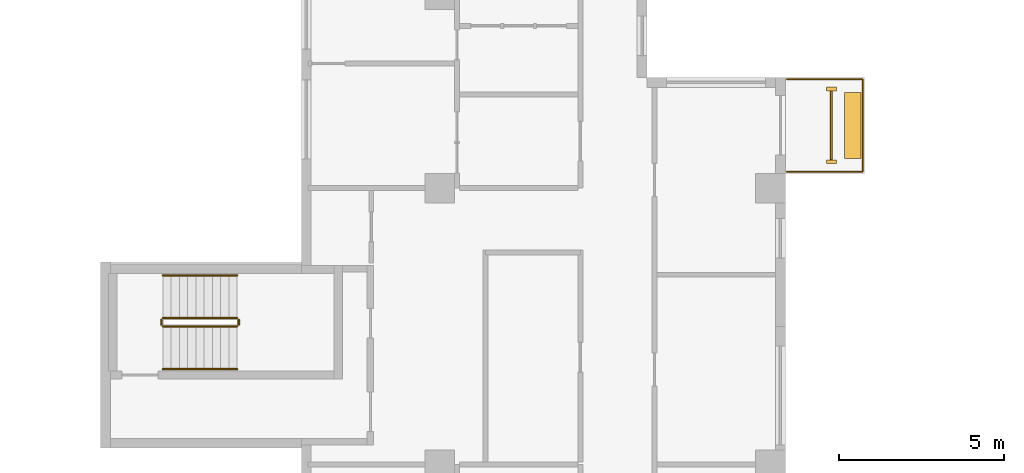
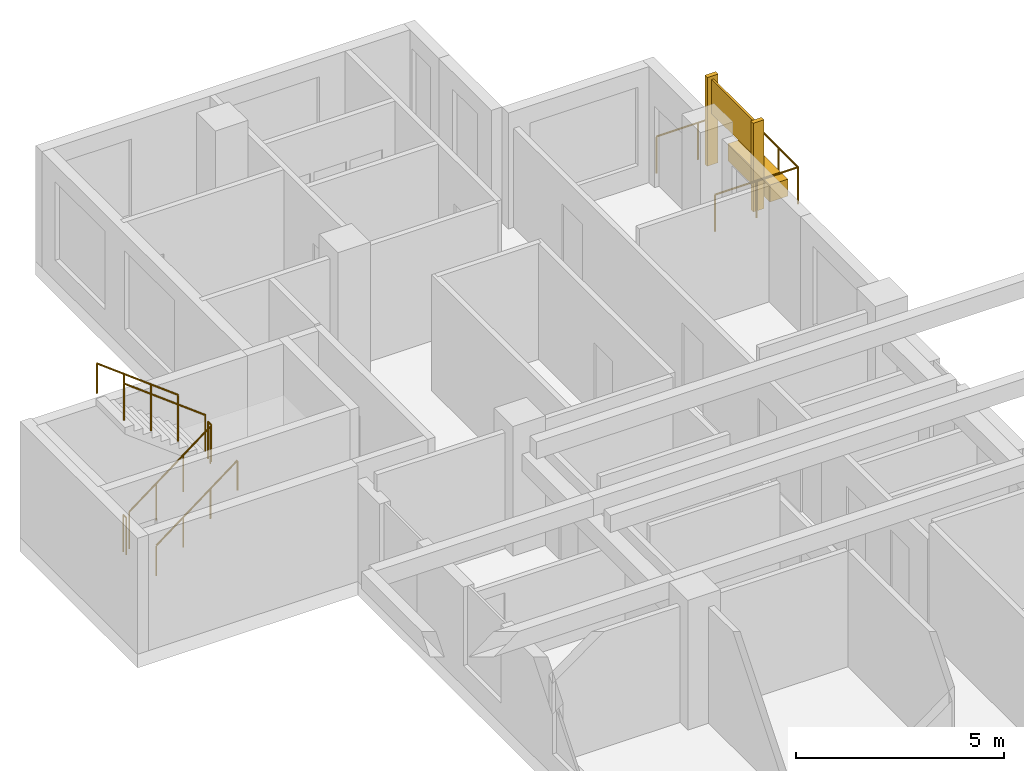
# One storey, part 12 of 12: 7 railings, 4 coverings.
"""IFC4 building model written with IfcOpenShell, lengths in metres."""

import ifcopenshell
import ifcopenshell.guid

model = None  # the IFC model being written
_history = None  # IfcOwnerHistory: only IFC2X3 demands one
_inside = {}  # id of a spatial element -> (the spatial element, [elements in it])
_under = {}  # id of a project, library or spatial element -> (it, [spatial elements below it])
_declared = {}  # id of a project -> (the project, [libraries it declares])
_typed = {}  # id of a type object -> (the type object, [elements of that type])
_made_of = {}  # id of a material, layer set ... -> (it, [elements and type objects made of it])


def new_model(schema):
    """Start an empty IFC model of exactly this schema.

    Asked for "IFC4X3", IfcOpenShell would pick the latest addendum, in which some entities
    have other attributes; the version numbers below select the first issue.
    IFC2X3 requires an IfcOwnerHistory on every rooted entity: one is made here for all.
    """
    global model, _history
    if schema == "IFC4X3":
        model = ifcopenshell.file(schema_version=(4, 3, 0, 0))
    else:
        model = ifcopenshell.file(schema=schema)
    _inside.clear()
    _under.clear()
    _declared.clear()
    _typed.clear()
    _made_of.clear()
    _history = None
    if model.schema == "IFC2X3":
        org = make("IfcOrganization", Name="unknown")
        user = make(
            "IfcPersonAndOrganization",
            ThePerson=make("IfcPerson", FamilyName="unknown"),
            TheOrganization=org,
        )
        app = make(
            "IfcApplication",
            ApplicationDeveloper=org,
            Version="unknown",
            ApplicationFullName="unknown",
            ApplicationIdentifier="unknown",
        )
        _history = make(
            "IfcOwnerHistory",
            OwningUser=user,
            OwningApplication=app,
            ChangeAction="ADDED",
            CreationDate=0,
        )
    return model


def make(cls, **values):
    """One entity of the class cls with the attributes given. An attribute that is None is left unset."""
    return model.create_entity(
        cls, **{name: value for name, value in values.items() if value is not None}
    )


def rooted(cls, **values):
    """An entity with a GlobalId (a new one), such as an element, a storey or a relation."""
    return make(cls, GlobalId=ifcopenshell.guid.new(), OwnerHistory=_history, **values)


def si_unit(unit_type, name, prefix=None):
    """IfcSIUnit, for example si_unit("LENGTHUNIT", "METRE", prefix="MILLI")."""
    return make("IfcSIUnit", UnitType=unit_type, Prefix=prefix, Name=name)


def assignment(units):
    """IfcUnitAssignment: the units of a project."""
    return None if units is None else make("IfcUnitAssignment", Units=units)


def point(xyz):
    """IfcCartesianPoint."""
    return None if xyz is None else make("IfcCartesianPoint", Coordinates=xyz)


def direction(xyz):
    """IfcDirection."""
    return None if xyz is None else make("IfcDirection", DirectionRatios=xyz)


def frame(location, z_axis=None, x_axis=None):
    """IfcAxis2Placement3D, a coordinate frame: its origin and axes. An axis left out is left unset."""
    return make(
        "IfcAxis2Placement3D",
        Location=point(location),
        Axis=direction(z_axis),
        RefDirection=direction(x_axis),
    )


def frame_2d(location, x_axis=None):
    """IfcAxis2Placement2D, a coordinate frame in the plane: its origin and x axis."""
    return make(
        "IfcAxis2Placement2D", Location=point(location), RefDirection=direction(x_axis)
    )


def origin():
    """The frame at (0, 0, 0) with its axes left unset."""
    return frame((0.0, 0.0, 0.0))


def origin_2d():
    """The frame at (0, 0) in the plane with its x axis left unset."""
    return frame_2d((0.0, 0.0))


def place(relative_to, where):
    """IfcLocalPlacement: puts the frame where relative to a parent placement (None: the world)."""
    return make(
        "IfcLocalPlacement", PlacementRelTo=relative_to, RelativePlacement=where
    )


def context(
    kind, dimensions, precision=None, world=None, true_north=None, identifier=None
):
    """IfcGeometricRepresentationContext, for example the 3D "Model" context."""
    return make(
        "IfcGeometricRepresentationContext",
        ContextIdentifier=identifier,
        ContextType=kind,
        CoordinateSpaceDimension=dimensions,
        Precision=precision,
        WorldCoordinateSystem=world,
        TrueNorth=true_north,
    )


def subcontext(parent, identifier, kind, view, scale=None):
    """IfcGeometricRepresentationSubContext, for example "Body" below "Model"."""
    return make(
        "IfcGeometricRepresentationSubContext",
        ContextIdentifier=identifier,
        ContextType=kind,
        ParentContext=parent,
        TargetScale=scale,
        TargetView=view,
    )


def project(units=None, contexts=None):
    """IfcProject with its units and contexts."""
    return rooted(
        "IfcProject",
        Name="project",
        RepresentationContexts=contexts,
        UnitsInContext=assignment(units),
    )


def spatial(cls, under=None, at=None, **own):
    """A site, building, storey or space (cls), placed at a placement, below another one or the project."""
    s = rooted(cls, ObjectPlacement=at, **own)
    if under is not None:
        _under.setdefault(under.id(), (under, []))[1].append(s)
    return s


def profile(cls, at=None, kind="AREA", **sizes):
    """A parametric profile (cls). Its sizes go by their IFC names, for example OverallWidth=200.0."""
    return make(cls, ProfileType=kind, Position=at, **sizes)


def rectangle(**sizes):
    """IfcRectangleProfileDef."""
    return profile("IfcRectangleProfileDef", **sizes)


def circle(**sizes):
    """IfcCircleProfileDef."""
    return profile("IfcCircleProfileDef", **sizes)


def extrude(swept, where, along, depth):
    """IfcExtrudedAreaSolid: the profile swept, set in the frame where, extruded along a direction by depth."""
    return make(
        "IfcExtrudedAreaSolid",
        SweptArea=swept,
        Position=where,
        ExtrudedDirection=direction(along),
        Depth=depth,
    )


def shape(context_of_items, identifier, shape_type, items):
    """IfcShapeRepresentation: the items that make up one representation, for example the "Body"."""
    return make(
        "IfcShapeRepresentation",
        ContextOfItems=context_of_items,
        RepresentationIdentifier=identifier,
        RepresentationType=shape_type,
        Items=items,
    )


def source(mapping_origin, context_of_items, identifier, shape_type, items):
    """IfcRepresentationMap: a shape defined once, which mapped items show again and again."""
    return make(
        "IfcRepresentationMap",
        MappingOrigin=mapping_origin,
        MappedRepresentation=shape(context_of_items, identifier, shape_type, items),
    )


def transform(
    local_origin,
    x_axis=None,
    y_axis=None,
    z_axis=None,
    scale=None,
    scale2=None,
    scale3=None,
    uniform=True,
):
    """IfcCartesianTransformationOperator3D, or its non-uniform kind. x_axis, y_axis, z_axis: its Axis1, 2, 3."""
    if uniform:
        return make(
            "IfcCartesianTransformationOperator3D",
            Axis1=direction(x_axis),
            Axis2=direction(y_axis),
            LocalOrigin=point(local_origin),
            Scale=scale,
            Axis3=direction(z_axis),
        )
    return make(
        "IfcCartesianTransformationOperator3DnonUniform",
        Axis1=direction(x_axis),
        Axis2=direction(y_axis),
        LocalOrigin=point(local_origin),
        Scale=scale,
        Axis3=direction(z_axis),
        Scale2=scale2,
        Scale3=scale3,
    )


def mapped(mapping_source, mapping_target):
    """IfcMappedItem: shows the shape of a source again, moved by a transform."""
    return make(
        "IfcMappedItem", MappingSource=mapping_source, MappingTarget=mapping_target
    )


def material(Name=None, Category=None):
    """IfcMaterial."""
    return make("IfcMaterial", Name=Name, Category=Category)


def made_of(thing, what):
    """Note that an element or type object is made of a material, layer set ...; save() writes the relation."""
    if what is not None:
        _made_of.setdefault(what.id(), (what, []))[1].append(thing)
    return thing


def type_object(cls, material=None, **own):
    """A type object (cls), such as IfcWallType, which elements share."""
    return made_of(rooted(cls, **own), material)


def element(
    cls,
    number,
    at=None,
    inside=None,
    cuts=None,
    type_object=None,
    material=None,
    context=None,
    identifier="Body",
    shape_type=None,
    held_by="IfcProductDefinitionShape",
    body=None,
    shapes=None,
    **own,
):
    """One element of the class cls, such as IfcWall. Its Tag is "e" and its number.

    at: its placement. inside: the storey or other place that contains it. cuts: it is an
    opening in that element (IfcRelVoidsElement). A single representation is given by context,
    identifier, shape_type and body (its items); several are given by shapes. held_by: the class
    of the entity that holds the representations. save() writes the other relations.
    """
    e = rooted(cls, Tag="e%d" % number, ObjectPlacement=at, **own)
    if body is not None:
        shapes = [shape(context, identifier, shape_type, body)]
    if shapes is not None:
        e.Representation = make(held_by, Representations=shapes)
    if inside is not None:
        _inside.setdefault(inside.id(), (inside, []))[1].append(e)
    if cuts is not None:
        rooted(
            "IfcRelVoidsElement", RelatingBuildingElement=cuts, RelatedOpeningElement=e
        )
    if type_object is not None:
        _typed.setdefault(type_object.id(), (type_object, []))[1].append(e)
    return made_of(e, material)


def aggregate(whole, parts):
    """IfcRelAggregates: a whole, such as a stair, and the parts it consists of."""
    return rooted("IfcRelAggregates", RelatingObject=whole, RelatedObjects=parts)


def save(model, path):
    """Write the relations noted so far, then the file.

    IfcRelAggregates (storeys below a building ...), IfcRelContainedInSpatialStructure (elements
    in a storey), IfcRelDefinesByType, IfcRelAssociatesMaterial and IfcRelDeclares: one each for
    every whole, place, type object, material and project.
    """
    for whole, parts in _under.values():
        aggregate(whole, parts)
    for where, things in _inside.values():
        rooted(
            "IfcRelContainedInSpatialStructure",
            RelatedElements=things,
            RelatingStructure=where,
        )
    for kind, things in _typed.values():
        rooted("IfcRelDefinesByType", RelatedObjects=things, RelatingType=kind)
    for what, things in _made_of.values():
        rooted("IfcRelAssociatesMaterial", RelatedObjects=things, RelatingMaterial=what)
    for by, libraries in _declared.values():
        rooted("IfcRelDeclares", RelatingContext=by, RelatedDefinitions=libraries)
    model.write(path)


model = new_model("IFC4")

# Units and contexts
model_context = context("Model", 3, precision=1e-05, world=origin(), true_north=direction((0.0, 1.0)))
body_context = subcontext(model_context, "Body", "Model", "MODEL_VIEW")
ifc_project = project(units=[si_unit("LENGTHUNIT", "METRE"), si_unit("AREAUNIT", "SQUARE_METRE"), si_unit("VOLUMEUNIT", "CUBIC_METRE"), si_unit("PLANEANGLEUNIT", "RADIAN"), si_unit("MASSUNIT", "GRAM", prefix="KILO")], contexts=[model_context])

# Site, building, storey
site_placement = place(None, origin())
site = spatial("IfcSite", under=ifc_project, at=site_placement, CompositionType="ELEMENT")
building_placement = place(site_placement, origin())
building = spatial("IfcBuilding", under=site, at=building_placement, Name="Aurelian Terraces", CompositionType="ELEMENT")
storey_placement = place(building_placement, frame((0.0, 0.0, 215.8)))
storey = spatial("IfcBuildingStorey", under=building, at=storey_placement, Name="L48", CompositionType="ELEMENT", Elevation=215.8)

# Coverings
ifc_material_1 = material(Name="Terracotta rainscreen cladding relief", Category="masonry")
covering_type_1 = type_object("IfcCoveringType", Name="FIN-TC", PredefinedType="CLADDING", material=ifc_material_1)
shared_shape_1 = source(origin(), body_context, "Body", "SweptSolid", [
    extrude(rectangle(XDim=0.3, YDim=0.12, at=origin_2d()), origin(), (0.0, 0.0, 1.0), 2.6),
])
for number, where, z_axis, x_axis, name in (
    (1, (22.4, 47.0, 0.0), (0.0, 0.0, 1.0), (1.0, 0.0, 0.0), "FIN L48 L48-F08-22.1"),
    (2, (22.4, 49.21, 0.0), (0.0, 0.0, 1.0), (1.0, 0.0, 0.0), "FIN L48 L48-F08-22.2"),
):
    element("IfcCovering", number, at=place(storey_placement, frame(where, z_axis=z_axis, x_axis=x_axis)), inside=storey, type_object=covering_type_1, Name=name, PredefinedType="CLADDING", context=body_context, shape_type="MappedRepresentation", body=[
        mapped(shared_shape_1, transform((0.0, 0.0, 0.0), scale=1.0)),
    ])

# Railing
ifc_material_2 = material(Name="Anodised aluminium", Category="aluminium")
railing_type_1 = type_object("IfcRailingType", Name="GUARD-1100", PredefinedType="GUARDRAIL", material=ifc_material_2)
shared_shape_2 = source(origin(), body_context, "Body", "SweptSolid", [
    extrude(circle(Radius=0.024, at=origin_2d()), frame((0.0, 0.0, 1.076), z_axis=(1.0, 0.0, 0.0), x_axis=(0.0, 1.0, 0.0)), (0.0, 0.0, 1.0), 2.3),
    extrude(circle(Radius=0.024, at=origin_2d()), frame((2.3, 0.0, 1.076), z_axis=(0.0, 1.0, 0.0), x_axis=(-1.0, 0.0, 0.0)), (0.0, 0.0, 1.0), 2.81),
    extrude(circle(Radius=0.024, at=origin_2d()), frame((2.3, 2.81, 1.076), z_axis=(-1.0, 0.0, 0.0), x_axis=(0.0, -1.0, 0.0)), (0.0, 0.0, 1.0), 2.3),
    extrude(circle(Radius=0.021, at=origin_2d()), origin(), (0.0, 0.0, 1.0), 1.052),
    extrude(circle(Radius=0.021, at=origin_2d()), frame((1.15, 0.0, 0.0)), (0.0, 0.0, 1.0), 1.052),
    extrude(circle(Radius=0.021, at=origin_2d()), frame((2.3, 0.0, 0.0)), (0.0, 0.0, 1.0), 1.052),
    extrude(circle(Radius=0.021, at=origin_2d()), frame((2.3, 0.9367, 0.0)), (0.0, 0.0, 1.0), 1.052),
    extrude(circle(Radius=0.021, at=origin_2d()), frame((2.3, 1.8733, 0.0)), (0.0, 0.0, 1.0), 1.052),
    extrude(circle(Radius=0.021, at=origin_2d()), frame((2.3, 2.81, 0.0)), (0.0, 0.0, 1.0), 1.052),
    extrude(circle(Radius=0.021, at=origin_2d()), frame((1.15, 2.81, 0.0)), (0.0, 0.0, 1.0), 1.052),
    extrude(circle(Radius=0.021, at=origin_2d()), frame((0.0, 2.81, 0.0)), (0.0, 0.0, 1.0), 1.052),
])
railing_1_placement = place(storey_placement, frame((21.05, 46.7, 0.0)))
element("IfcRailing", 3, at=railing_1_placement, inside=storey, type_object=railing_type_1, Name="Balcony guard L48 F08.22", PredefinedType="GUARDRAIL", context=body_context, shape_type="MappedRepresentation", body=[
    mapped(shared_shape_2, transform((0.0, 0.0, 0.0), scale=1.0)),
])

# Coverings
ifc_material_3 = material(Name="Terracotta planter with planting soil", Category="masonry")
covering_type_2 = type_object("IfcCoveringType", Name="PLANTER-TROUGH", PredefinedType="USERDEFINED", material=ifc_material_3)
shared_shape_3 = source(origin(), body_context, "Body", "SweptSolid", [
    extrude(rectangle(XDim=0.5, YDim=2.01, at=origin_2d()), origin(), (0.0, 0.0, 1.0), 0.5),
])
covering_1_placement = place(storey_placement, frame((23.05, 48.105, 0.0), z_axis=(0.0, 0.0, 1.0), x_axis=(1.0, 0.0, 0.0)))
element("IfcCovering", 4, at=covering_1_placement, inside=storey, type_object=covering_type_2, Name="PLANTER L48 L48-F08-22", ObjectType="PLANTER", PredefinedType="USERDEFINED", context=body_context, shape_type="MappedRepresentation", body=[
    mapped(shared_shape_3, transform((0.0, 0.0, 0.0), scale=1.0)),
])
ifc_material_4 = material(Name="Terracotta rainscreen cladding", Category="masonry")
covering_type_3 = type_object("IfcCoveringType", Name="SCREEN-TC", PredefinedType="CLADDING", material=ifc_material_4)
shared_shape_4 = source(origin(), body_context, "Body", "SweptSolid", [
    extrude(rectangle(XDim=0.06, YDim=2.09, at=origin_2d()), origin(), (0.0, 0.0, 1.0), 1.0),
])
covering_2_placement = place(storey_placement, frame((22.4, 48.105, 1.5), z_axis=(0.0, 0.0, 1.0), x_axis=(1.0, 0.0, 0.0)))
element("IfcCovering", 5, at=covering_2_placement, inside=storey, type_object=covering_type_3, Name="SCREEN L48 L48-F08-22", PredefinedType="CLADDING", context=body_context, shape_type="MappedRepresentation", body=[
    mapped(shared_shape_4, transform((0.0, 0.0, 0.0), scale=1.0)),
])

# Railings
ifc_material_5 = material(Name="Stainless steel", Category="steel")
railing_type_2 = type_object("IfcRailingType", Name="Stair guard 1100", PredefinedType="GUARDRAIL", material=ifc_material_5)
shared_shape_5 = source(origin(), body_context, "Body", "SweptSolid", [
    extrude(circle(Radius=0.024, at=origin_2d()), frame((0.0, 0.0, 1.076), z_axis=(0.0, 1.0, 0.0), x_axis=(-1.0, 0.0, 0.0)), (0.0, 0.0, 1.0), 0.15),
    extrude(circle(Radius=0.021, at=origin_2d()), origin(), (0.0, 0.0, 1.0), 1.052),
    extrude(circle(Radius=0.021, at=origin_2d()), frame((0.0, 0.15, 0.0)), (0.0, 0.0, 1.0), 1.052),
])
for number, where, name in (
    (6, (4.4, 42.05, 1.9), "L48 S3 stair guard 2"),
    (7, (2.05, 42.05, 0.0), "L48 S3 stair guard 4"),
):
    element("IfcRailing", number, at=place(storey_placement, frame(where)), inside=storey, type_object=railing_type_2, Name=name, PredefinedType="GUARDRAIL", context=body_context, shape_type="MappedRepresentation", body=[
        mapped(shared_shape_5, transform((0.0, 0.0, 0.0), scale=1.0)),
    ])
shared_shape_6 = source(origin(), body_context, "Body", "SweptSolid", [
    extrude(circle(Radius=0.024, at=origin_2d()), frame((0.0, 0.0, 1.076), z_axis=(0.796162194123, 0.0, 0.605083267534), x_axis=(0.0, 1.0, 0.0)), (0.0, 0.0, 1.0), 2.8261),
    extrude(circle(Radius=0.021, at=origin_2d()), origin(), (0.0, 0.0, 1.0), 1.052),
    extrude(circle(Radius=0.021, at=origin_2d()), frame((0.75, 0.0, 0.57)), (0.0, 0.0, 1.0), 1.052),
    extrude(circle(Radius=0.021, at=origin_2d()), frame((1.5, 0.0, 1.14)), (0.0, 0.0, 1.0), 1.052),
    extrude(circle(Radius=0.021, at=origin_2d()), frame((2.25, 0.0, 1.71)), (0.0, 0.0, 1.0), 1.052),
])
railing_2_placement = place(storey_placement, frame((2.1, 42.0, 0.19)))
element("IfcRailing", 8, at=railing_2_placement, inside=storey, type_object=railing_type_2, Name="L48 S3 stair guard 1", PredefinedType="GUARDRAIL", context=body_context, shape_type="MappedRepresentation", body=[
    mapped(shared_shape_6, transform((0.0, 0.0, 0.0), scale=1.0)),
])
shared_shape_7 = source(origin(), body_context, "Body", "SweptSolid", [
    extrude(circle(Radius=0.024, at=origin_2d()), frame((0.0, 0.0, 1.076), z_axis=(-0.796162194123, 0.0, 0.605083267534), x_axis=(0.0, -1.0, 0.0)), (0.0, 0.0, 1.0), 2.8261),
    extrude(circle(Radius=0.021, at=origin_2d()), origin(), (0.0, 0.0, 1.0), 1.052),
    extrude(circle(Radius=0.021, at=origin_2d()), frame((-0.75, 0.0, 0.57)), (0.0, 0.0, 1.0), 1.052),
    extrude(circle(Radius=0.021, at=origin_2d()), frame((-1.5, 0.0, 1.14)), (0.0, 0.0, 1.0), 1.052),
    extrude(circle(Radius=0.021, at=origin_2d()), frame((-2.25, 0.0, 1.71)), (0.0, 0.0, 1.0), 1.052),
])
railing_3_placement = place(storey_placement, frame((4.35, 42.25, 2.09)))
element("IfcRailing", 9, at=railing_3_placement, inside=storey, type_object=railing_type_2, Name="L48 S3 stair guard 3", PredefinedType="GUARDRAIL", context=body_context, shape_type="MappedRepresentation", body=[
    mapped(shared_shape_7, transform((0.0, 0.0, 0.0), scale=1.0)),
])
railing_type_3 = type_object("IfcRailingType", Name="Stair handrail", PredefinedType="HANDRAIL", material=ifc_material_5)
shared_shape_8 = source(origin(), body_context, "Body", "SweptSolid", [
    extrude(circle(Radius=0.024, at=origin_2d()), frame((0.0, 0.0, 0.876), z_axis=(0.796162194123, 0.0, 0.605083267534), x_axis=(0.0, 1.0, 0.0)), (0.0, 0.0, 1.0), 2.8261),
    extrude(circle(Radius=0.021, at=origin_2d()), origin(), (0.0, 0.0, 1.0), 0.852),
    extrude(circle(Radius=0.021, at=origin_2d()), frame((0.75, 0.0, 0.57)), (0.0, 0.0, 1.0), 0.852),
    extrude(circle(Radius=0.021, at=origin_2d()), frame((1.5, 0.0, 1.14)), (0.0, 0.0, 1.0), 0.852),
    extrude(circle(Radius=0.021, at=origin_2d()), frame((2.25, 0.0, 1.71)), (0.0, 0.0, 1.0), 0.852),
])
railing_4_placement = place(storey_placement, frame((2.1, 40.7, 0.19)))
element("IfcRailing", 10, at=railing_4_placement, inside=storey, type_object=railing_type_3, Name="L48 S3 stair handrail 1", PredefinedType="HANDRAIL", context=body_context, shape_type="MappedRepresentation", body=[
    mapped(shared_shape_8, transform((0.0, 0.0, 0.0), scale=1.0)),
])
shared_shape_9 = source(origin(), body_context, "Body", "SweptSolid", [
    extrude(circle(Radius=0.024, at=origin_2d()), frame((0.0, 0.0, 0.876), z_axis=(-0.796162194123, 0.0, 0.605083267534), x_axis=(0.0, -1.0, 0.0)), (0.0, 0.0, 1.0), 2.8261),
    extrude(circle(Radius=0.021, at=origin_2d()), origin(), (0.0, 0.0, 1.0), 0.852),
    extrude(circle(Radius=0.021, at=origin_2d()), frame((-0.75, 0.0, 0.57)), (0.0, 0.0, 1.0), 0.852),
    extrude(circle(Radius=0.021, at=origin_2d()), frame((-1.5, 0.0, 1.14)), (0.0, 0.0, 1.0), 0.852),
    extrude(circle(Radius=0.021, at=origin_2d()), frame((-2.25, 0.0, 1.71)), (0.0, 0.0, 1.0), 0.852),
])
railing_5_placement = place(storey_placement, frame((4.35, 43.55, 2.09)))
element("IfcRailing", 11, at=railing_5_placement, inside=storey, type_object=railing_type_3, Name="L48 S3 stair handrail 2", PredefinedType="HANDRAIL", context=body_context, shape_type="MappedRepresentation", body=[
    mapped(shared_shape_9, transform((0.0, 0.0, 0.0), scale=1.0)),
])

save(model, "model.ifc")
